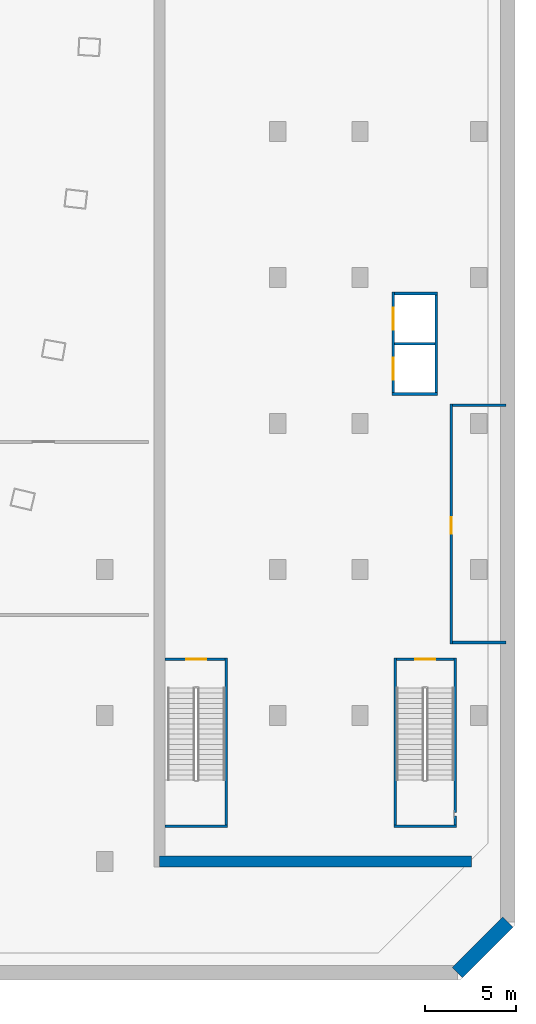
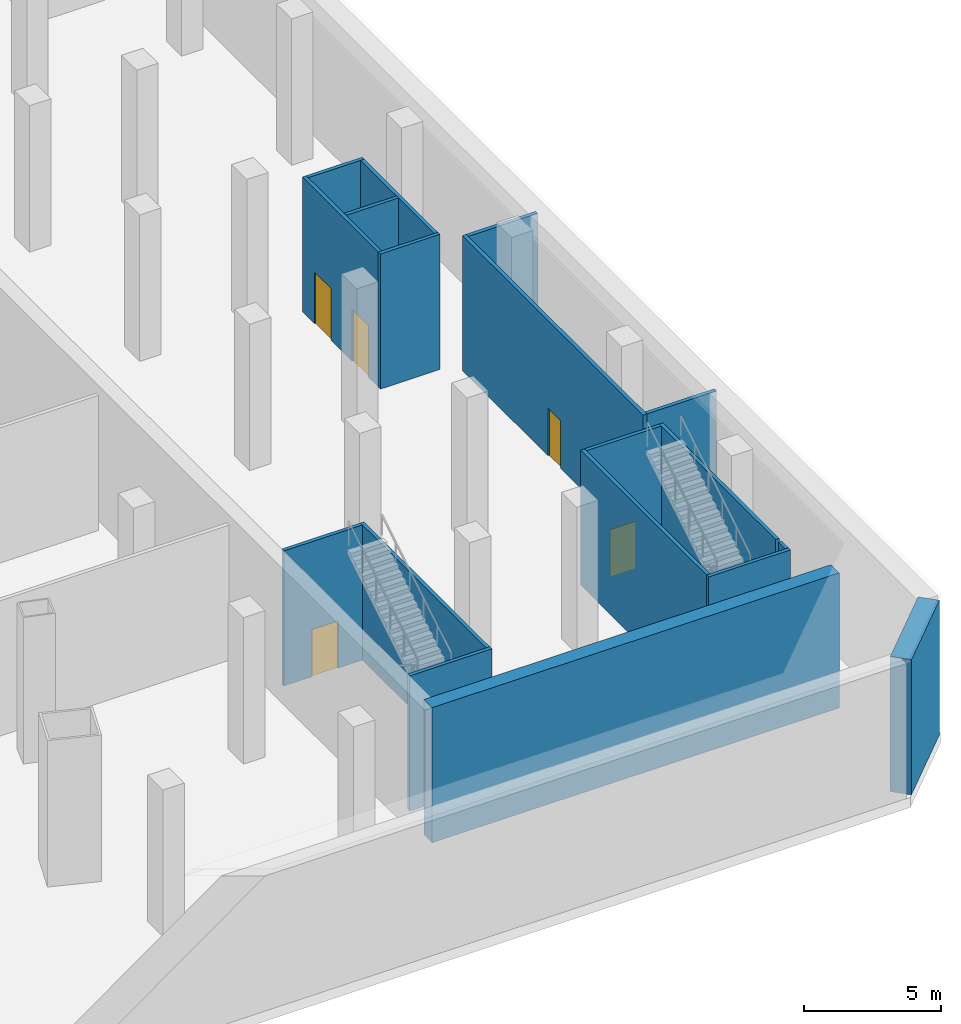
# One storey, part 6 of 16: 18 walls, 5 doors, 5 openings.
"""IFC4 building model written with IfcOpenShell, lengths in metres."""

from ifc_helpers import new_model, si_unit, direction, frame, frame_2d, origin, place, context, subcontext, project, spatial, rectangle, extrude, material, layer, layer_set, type_object, element, fill, save


model = new_model("IFC4")

# Units and contexts
model_context = context("Model", 3, precision=1e-05, world=origin(), true_north=direction((0.0, 1.0)))
body_context = subcontext(model_context, "Body", "Model", "MODEL_VIEW")
ifc_project = project(units=[si_unit("LENGTHUNIT", "METRE"), si_unit("AREAUNIT", "SQUARE_METRE"), si_unit("VOLUMEUNIT", "CUBIC_METRE"), si_unit("PLANEANGLEUNIT", "RADIAN"), si_unit("MASSUNIT", "GRAM", prefix="KILO")], contexts=[model_context])

# Site, building, storey
site_placement = place(None, origin())
site = spatial("IfcSite", under=ifc_project, at=site_placement, CompositionType="ELEMENT")
building_placement = place(site_placement, origin())
building = spatial("IfcBuilding", under=site, at=building_placement, Name="Alderwake Tower", CompositionType="ELEMENT")
storey_placement = place(building_placement, frame((0.0, 0.0, -6.5)))
storey = spatial("IfcBuildingStorey", under=building, at=storey_placement, Name="B1", CompositionType="ELEMENT", Elevation=-6.5)

# Wall
ifc_material_1 = material(Name="Concrete C50/60", Category="concrete")
ifc_layer_1 = layer(ifc_material_1, 0.800048828125)
ifc_layer_set_1 = layer_set([ifc_layer_1], Name="Basement retaining wall 800")
wall_type_1 = type_object("IfcWallType", Name="Basement retaining wall 800", PredefinedType="SOLIDWALL", material=ifc_layer_set_1)
wall_1_placement = place(storey_placement, frame((86.10009765625, 4.665771484375, 0.0), z_axis=(0.0, 0.0, 1.0), x_axis=(-0.707106781187, -0.707106781187, 0.0)))
element("IfcWall", 1, at=wall_1_placement, inside=storey, type_object=wall_type_1, Name="Retaining wall 7", PredefinedType="SOLIDWALL", context=body_context, shape_type="SweptSolid", body=[
    extrude(rectangle(XDim=3.91162109375, YDim=0.800048828125, at=frame_2d((1.955810546875, 0.0))), origin(), (0.0, 0.0, 1.0), 6.0),
])

# Wall, opening, door
ifc_material_2 = material(Name="Gypsum board on metal studs, rated")
ifc_layer_2 = layer(ifc_material_2, 0.159912109375)
ifc_layer_set_2 = layer_set([ifc_layer_2], Name="Corridor wall 160")
wall_type_2 = type_object("IfcWallType", Name="Corridor wall 160", PredefinedType="PARTITIONING", material=ifc_layer_set_2)
wall_2_placement = place(storey_placement, frame((83.0009765625, 19.9208984375, 0.0), z_axis=(0.0, 0.0, 1.0), x_axis=(0.0, 1.0, 0.0)))
wall_2 = element("IfcWall", 2, at=wall_2_placement, inside=storey, type_object=wall_type_2, Name="WL/B1/W59", PredefinedType="PARTITIONING", context=body_context, shape_type="SweptSolid", body=[
    extrude(rectangle(XDim=13.1591796875, YDim=0.159912109375, at=frame_2d((6.57958984375, 0.0))), origin(), (0.0, 0.0, 1.0), 6.0),
])
opening_1_placement = place(wall_2_placement, frame((6.029052734375, 0.0, 0.0)))
opening_1 = element("IfcOpeningElement", 3, at=opening_1_placement, cuts=wall_2, Name="Opening B1-05", PredefinedType="OPENING", context=body_context, shape_type="SweptSolid", body=[
    extrude(rectangle(XDim=0.89990234375, YDim=2.10009765625, at=frame_2d((0.449951171875, 1.050048828125))), frame((0.0, 0.08984375, 0.0), z_axis=(0.0, -1.0, 0.0), x_axis=(1.0, 0.0, 0.0)), (0.0, 0.0, 1.0), 0.179931640625),
])
ifc_material_3 = material(Name="Painted timber leaf", Category="wood")
door_type_1 = type_object("IfcDoorType", Name="Room door 900", OperationType="SINGLE_SWING_LEFT", PredefinedType="DOOR", material=ifc_material_3)
door_1_placement = place(opening_1_placement, origin())
door_1 = element("IfcDoor", 4, at=door_1_placement, inside=storey, type_object=door_type_1, Name="DR/B1/05", OperationType="SINGLE_SWING_LEFT", OverallHeight=2.10009765625, OverallWidth=0.89990234375, PredefinedType="DOOR", context=body_context, shape_type="SweptSolid", body=[
    extrude(rectangle(XDim=0.89990234375, YDim=2.10009765625, at=frame_2d((0.449951171875, 1.050048828125))), frame((0.0, 0.02490234375, 0.0), z_axis=(0.0, -1.0, 0.0), x_axis=(1.0, 0.0, 0.0)), (0.0, 0.0, 1.0), 0.050048828125),
])
fill(opening_1, door_1)

# Walls
for number, where, z_axis, x_axis, name in (
    (5, (83.0810546875, 33.0, 0.0), (0.0, 0.0, 1.0), (1.0, 0.0, 0.0), "WL/B1/W60"),
    (6, (86.0009765625, 20.0009765625, 0.0), (0.0, 0.0, 1.0), (-1.0, 0.0, 0.0), "WL/B1/W61"),
):
    element("IfcWall", number, at=place(storey_placement, frame(where, z_axis=z_axis, x_axis=x_axis)), inside=storey, type_object=wall_type_2, Name=name, PredefinedType="PARTITIONING", context=body_context, shape_type="SweptSolid", body=[
        extrude(rectangle(XDim=2.919921875, YDim=0.159912109375, at=frame_2d((1.4599609375, 0.0))), origin(), (0.0, 0.0, 1.0), 6.0),
    ])

# Wall, opening, door
ifc_material_4 = material(Name="Gypsum shaft wall system, rated")
ifc_layer_3 = layer(ifc_material_4, 0.14990234375)
ifc_layer_set_3 = layer_set([ifc_layer_3], Name="Riser and shaft wall 150")
wall_type_3 = type_object("IfcWallType", Name="Riser and shaft wall 150", PredefinedType="PARTITIONING", material=ifc_layer_set_3)
wall_3_placement = place(storey_placement, frame((67.300048828125, 19.073974609375, 0.0), z_axis=(0.0, 0.0, 1.0), x_axis=(1.0, 0.0, 0.0)))
wall_3 = element("IfcWall", 7, at=wall_3_placement, inside=storey, type_object=wall_type_3, Name="WL/B1/W14", PredefinedType="PARTITIONING", context=body_context, shape_type="SweptSolid", body=[
    extrude(rectangle(XDim=3.299072265625, YDim=0.14990234375, at=frame_2d((1.6494140625, 0.0))), origin(), (0.0, 0.0, 1.0), 6.0),
])
opening_2_placement = place(wall_3_placement, frame((1.175048828125, 0.0, 0.0)))
opening_2 = element("IfcOpeningElement", 8, at=opening_2_placement, cuts=wall_3, Name="Opening B1-11", PredefinedType="OPENING", context=body_context, shape_type="SweptSolid", body=[
    extrude(rectangle(XDim=1.10009765625, YDim=2.10009765625, at=frame_2d((0.550048828125, 1.050048828125))), frame((0.0, 0.0849609375, 0.0), z_axis=(0.0, -1.0, 0.0), x_axis=(1.0, 0.0, 0.0)), (0.0, 0.0, 1.0), 0.169921875),
])
ifc_material_5 = material(Name="Steel-framed fire door leaf", Category="steel")
door_type_2 = type_object("IfcDoorType", Name="Stair door 1100 fire-rated", OperationType="SINGLE_SWING_LEFT", PredefinedType="DOOR", material=ifc_material_5)
door_2_placement = place(opening_2_placement, origin())
door_2 = element("IfcDoor", 9, at=door_2_placement, inside=storey, type_object=door_type_2, Name="DR/B1/11", OperationType="SINGLE_SWING_LEFT", OverallHeight=2.10009765625, OverallWidth=1.10009765625, PredefinedType="DOOR", context=body_context, shape_type="SweptSolid", body=[
    extrude(rectangle(XDim=1.10009765625, YDim=2.10009765625, at=frame_2d((0.550048828125, 1.050048828125))), frame((0.0, 0.02490234375, 0.0), z_axis=(0.0, -1.0, 0.0), x_axis=(1.0, 0.0, 0.0)), (0.0, 0.0, 1.0), 0.050048828125),
])
fill(opening_2, door_2)

# Wall
wall_4_placement = place(storey_placement, frame((79.7490234375, 33.6240234375, 0.0), z_axis=(0.0, 0.0, 1.0), x_axis=(1.0, 0.0, 0.0)))
element("IfcWall", 10, at=wall_4_placement, inside=storey, type_object=wall_type_3, Name="WL/B1/W21", PredefinedType="PARTITIONING", context=body_context, shape_type="SweptSolid", body=[
    extrude(rectangle(XDim=2.501953125, YDim=0.14990234375, at=frame_2d((1.2509765625, 0.0))), origin(), (0.0, 0.0, 1.0), 6.0),
])

# Wall, openings, doors
wall_5_placement = place(storey_placement, frame((79.823974609375, 33.698974609375, 0.0), z_axis=(0.0, 0.0, 1.0), x_axis=(0.0, 1.0, 0.0)))
wall_5 = element("IfcWall", 11, at=wall_5_placement, inside=storey, type_object=wall_type_3, Name="WL/B1/W22", PredefinedType="PARTITIONING", context=body_context, shape_type="SweptSolid", body=[
    extrude(rectangle(XDim=5.501953125, YDim=0.14990234375, at=frame_2d((2.7509765625, 0.0))), origin(), (0.0, 0.0, 1.0), 6.0),
])
opening_3_placement = place(wall_5_placement, frame((0.700927734375, 0.0, 0.0)))
opening_3 = element("IfcOpeningElement", 12, at=opening_3_placement, cuts=wall_5, Name="Opening LD-SL1", PredefinedType="OPENING", context=body_context, shape_type="SweptSolid", body=[
    extrude(rectangle(XDim=1.199951171875, YDim=2.300048828125, at=frame_2d((0.60009765625, 1.14990234375))), frame((0.0, 0.0849609375, 0.0), z_axis=(0.0, -1.0, 0.0), x_axis=(1.0, 0.0, 0.0)), (0.0, 0.0, 1.0), 0.169921875),
])
opening_4_placement = place(wall_5_placement, frame((3.450927734375, 0.0, 0.0)))
opening_4 = element("IfcOpeningElement", 13, at=opening_4_placement, cuts=wall_5, Name="Opening LD-SL2", PredefinedType="OPENING", context=body_context, shape_type="SweptSolid", body=[
    extrude(rectangle(XDim=1.199951171875, YDim=2.300048828125, at=frame_2d((0.60009765625, 1.14990234375))), frame((0.0, 0.0849609375, 0.0), z_axis=(0.0, -1.0, 0.0), x_axis=(1.0, 0.0, 0.0)), (0.0, 0.0, 1.0), 0.169921875),
])
ifc_material_6 = material(Name="Stainless steel sliding leaf", Category="steel")
door_type_3 = type_object("IfcDoorType", Name="Lift landing door 1200", OperationType="SLIDING_TO_LEFT", PredefinedType="DOOR", material=ifc_material_6)
door_3_placement = place(opening_3_placement, origin())
door_3 = element("IfcDoor", 14, at=door_3_placement, inside=storey, type_object=door_type_3, Name="DR/B1/01", OperationType="SLIDING_TO_LEFT", OverallHeight=2.300048828125, OverallWidth=1.199951171875, PredefinedType="DOOR", context=body_context, shape_type="SweptSolid", body=[
    extrude(rectangle(XDim=1.199951171875, YDim=2.300048828125, at=frame_2d((0.60009765625, 1.14990234375))), frame((0.0, 0.02490234375, 0.0), z_axis=(0.0, -1.0, 0.0), x_axis=(1.0, 0.0, 0.0)), (0.0, 0.0, 1.0), 0.050048828125),
])
fill(opening_3, door_3)
door_4_placement = place(opening_4_placement, origin())
door_4 = element("IfcDoor", 15, at=door_4_placement, inside=storey, type_object=door_type_3, Name="DR/B1/02", OperationType="SLIDING_TO_LEFT", OverallHeight=2.300048828125, OverallWidth=1.199951171875, PredefinedType="DOOR", context=body_context, shape_type="SweptSolid", body=[
    extrude(rectangle(XDim=1.199951171875, YDim=2.300048828125, at=frame_2d((0.60009765625, 1.14990234375))), frame((0.0, 0.02490234375, 0.0), z_axis=(0.0, -1.0, 0.0), x_axis=(1.0, 0.0, 0.0)), (0.0, 0.0, 1.0), 0.050048828125),
])
fill(opening_4, door_4)

# Walls
wall_6_placement = place(storey_placement, frame((79.89892578125, 39.1259765625, 0.0), z_axis=(0.0, 0.0, 1.0), x_axis=(1.0, 0.0, 0.0)))
element("IfcWall", 16, at=wall_6_placement, inside=storey, type_object=wall_type_3, Name="WL/B1/W23", PredefinedType="PARTITIONING", context=body_context, shape_type="SweptSolid", body=[
    extrude(rectangle(XDim=2.35205078125, YDim=0.14990234375, at=frame_2d((1.176025390625, 0.0))), origin(), (0.0, 0.0, 1.0), 6.0),
])
wall_7_placement = place(storey_placement, frame((82.176025390625, 33.698974609375, 0.0), z_axis=(0.0, 0.0, 1.0), x_axis=(0.0, 1.0, 0.0)))
element("IfcWall", 17, at=wall_7_placement, inside=storey, type_object=wall_type_3, Name="WL/B1/W26", PredefinedType="PARTITIONING", context=body_context, shape_type="SweptSolid", body=[
    extrude(rectangle(XDim=5.35205078125, YDim=0.14990234375, at=frame_2d((2.676025390625, 0.0))), origin(), (0.0, 0.0, 1.0), 6.0),
])
wall_8_placement = place(storey_placement, frame((82.10107421875, 36.375, 0.0), z_axis=(0.0, 0.0, 1.0), x_axis=(-1.0, 0.0, 0.0)))
element("IfcWall", 18, at=wall_8_placement, inside=storey, type_object=wall_type_3, Name="WL/B1/W27", PredefinedType="PARTITIONING", context=body_context, shape_type="SweptSolid", body=[
    extrude(rectangle(XDim=2.2021484375, YDim=0.14990234375, at=frame_2d((1.10107421875, 0.0))), origin(), (0.0, 0.0, 1.0), 6.0),
])

# Wall, opening, door
wall_9_placement = place(storey_placement, frame((80.0009765625, 19.073974609375, 0.0), z_axis=(0.0, 0.0, 1.0), x_axis=(1.0, 0.0, 0.0)))
wall_9 = element("IfcWall", 19, at=wall_9_placement, inside=storey, type_object=wall_type_3, Name="WL/B1/W30", PredefinedType="PARTITIONING", context=body_context, shape_type="SweptSolid", body=[
    extrude(rectangle(XDim=3.14990234375, YDim=0.14990234375, at=frame_2d((1.574951171875, 0.0))), origin(), (0.0, 0.0, 1.0), 6.0),
])
opening_5_placement = place(wall_9_placement, frame((1.02392578125, 0.0, 0.0)))
opening_5 = element("IfcOpeningElement", 20, at=opening_5_placement, cuts=wall_9, Name="Opening B1-12", PredefinedType="OPENING", context=body_context, shape_type="SweptSolid", body=[
    extrude(rectangle(XDim=1.10009765625, YDim=2.10009765625, at=frame_2d((0.550048828125, 1.050048828125))), frame((0.0, 0.0849609375, 0.0), z_axis=(0.0, -1.0, 0.0), x_axis=(1.0, 0.0, 0.0)), (0.0, 0.0, 1.0), 0.169921875),
])
door_5_placement = place(opening_5_placement, origin())
door_5 = element("IfcDoor", 21, at=door_5_placement, inside=storey, type_object=door_type_2, Name="DR/B1/12", OperationType="SINGLE_SWING_LEFT", OverallHeight=2.10009765625, OverallWidth=1.10009765625, PredefinedType="DOOR", context=body_context, shape_type="SweptSolid", body=[
    extrude(rectangle(XDim=1.10009765625, YDim=2.10009765625, at=frame_2d((0.550048828125, 1.050048828125))), frame((0.0, 0.02490234375, 0.0), z_axis=(0.0, -1.0, 0.0), x_axis=(1.0, 0.0, 0.0)), (0.0, 0.0, 1.0), 0.050048828125),
])
fill(opening_5, door_5)

# Walls
ifc_material_7 = material(Name="Concrete C40/50", Category="concrete")
ifc_layer_4 = layer(ifc_material_7, 0.14990234375)
ifc_layer_set_4 = layer_set([ifc_layer_4], Name="Stair shaft wall 150 C40/50")
wall_type_4 = type_object("IfcWallType", Name="Stair shaft wall 150 C40/50", PredefinedType="SHEAR", material=ifc_layer_set_4)
wall_10_placement = place(storey_placement, frame((67.300048828125, 9.924072265625, 0.0), z_axis=(0.0, 0.0, 1.0), x_axis=(1.0, 0.0, 0.0)))
element("IfcWall", 22, at=wall_10_placement, inside=storey, type_object=wall_type_4, Name="WL/B1/W11", PredefinedType="SHEAR", context=body_context, shape_type="SweptSolid", body=[
    extrude(rectangle(XDim=3.448974609375, YDim=0.14990234375, at=frame_2d((1.724609375, 0.0))), origin(), (0.0, 0.0, 1.0), 6.0),
])
wall_11_placement = place(storey_placement, frame((70.674072265625, 9.9990234375, 0.0), z_axis=(0.0, 0.0, 1.0), x_axis=(0.0, 1.0, 0.0)))
element("IfcWall", 23, at=wall_11_placement, inside=storey, type_object=wall_type_4, Name="WL/B1/W13", PredefinedType="SHEAR", context=body_context, shape_type="SweptSolid", body=[
    extrude(rectangle(XDim=9.14990234375, YDim=0.14990234375, at=frame_2d((4.574951171875, 0.0))), origin(), (0.0, 0.0, 1.0), 6.0),
])
wall_12_placement = place(storey_placement, frame((79.85107421875, 9.924072265625, 0.0), z_axis=(0.0, 0.0, 1.0), x_axis=(1.0, 0.0, 0.0)))
element("IfcWall", 24, at=wall_12_placement, inside=storey, type_object=wall_type_4, Name="WL/B1/W24", PredefinedType="SHEAR", context=body_context, shape_type="SweptSolid", body=[
    extrude(rectangle(XDim=3.449951171875, YDim=0.14990234375, at=frame_2d((1.72509765625, 0.0))), origin(), (0.0, 0.0, 1.0), 6.0),
])
wall_13_placement = place(storey_placement, frame((79.926025390625, 19.14892578125, 0.0), z_axis=(0.0, 0.0, 1.0), x_axis=(0.0, -1.0, 0.0)))
element("IfcWall", 25, at=wall_13_placement, inside=storey, type_object=wall_type_4, Name="WL/B1/W25", PredefinedType="SHEAR", context=body_context, shape_type="SweptSolid", body=[
    extrude(rectangle(XDim=9.14990234375, YDim=0.14990234375, at=frame_2d((4.574951171875, 0.0))), origin(), (0.0, 0.0, 1.0), 6.0),
])
wall_14_placement = place(storey_placement, frame((83.22607421875, 9.9990234375, 0.0), z_axis=(0.0, 0.0, 1.0), x_axis=(0.0, 1.0, 0.0)))
element("IfcWall", 26, at=wall_14_placement, inside=storey, type_object=wall_type_4, Name="WL/B1/W28", PredefinedType="SHEAR", context=body_context, shape_type="SweptSolid", body=[
    extrude(rectangle(XDim=0.489013671875, YDim=0.14990234375, at=frame_2d((0.24462890625, 0.0))), origin(), (0.0, 0.0, 1.0), 6.0),
])
wall_15_placement = place(storey_placement, frame((83.22607421875, 10.68408203125, 0.0), z_axis=(0.0, 0.0, 1.0), x_axis=(0.0, 1.0, 0.0)))
element("IfcWall", 27, at=wall_15_placement, inside=storey, type_object=wall_type_4, Name="WL/B1/W29", PredefinedType="SHEAR", context=body_context, shape_type="SweptSolid", body=[
    extrude(rectangle(XDim=8.46484375, YDim=0.14990234375, at=frame_2d((4.232421875, 0.0))), origin(), (0.0, 0.0, 1.0), 6.0),
])
ifc_material_8 = material(Name="Concrete C70/85", Category="concrete")
ifc_layer_5 = layer(ifc_material_8, 0.60009765625)
ifc_layer_set_5 = layer_set([ifc_layer_5], Name="Station box wall 600")
wall_type_5 = type_object("IfcWallType", Name="Station box wall 600", PredefinedType="SHEAR", material=ifc_layer_set_5)
wall_16_placement = place(storey_placement, frame((67.0, 8.0, 0.0), z_axis=(0.0, 0.0, 1.0), x_axis=(1.0, 0.0, 0.0)))
element("IfcWall", 28, at=wall_16_placement, inside=storey, type_object=wall_type_5, Name="Station box wall S", PredefinedType="SHEAR", context=body_context, shape_type="SweptSolid", body=[
    extrude(rectangle(XDim=17.10009765625, YDim=0.60009765625, at=frame_2d((8.550048828125, 0.0))), origin(), (0.0, 0.0, 1.0), 6.0),
])

save(model, "model.ifc")
